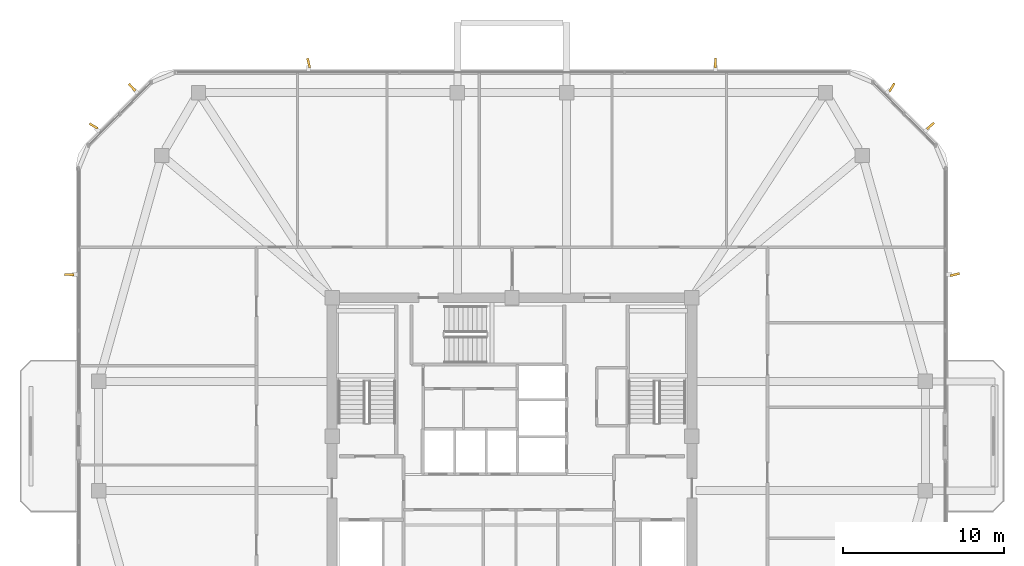
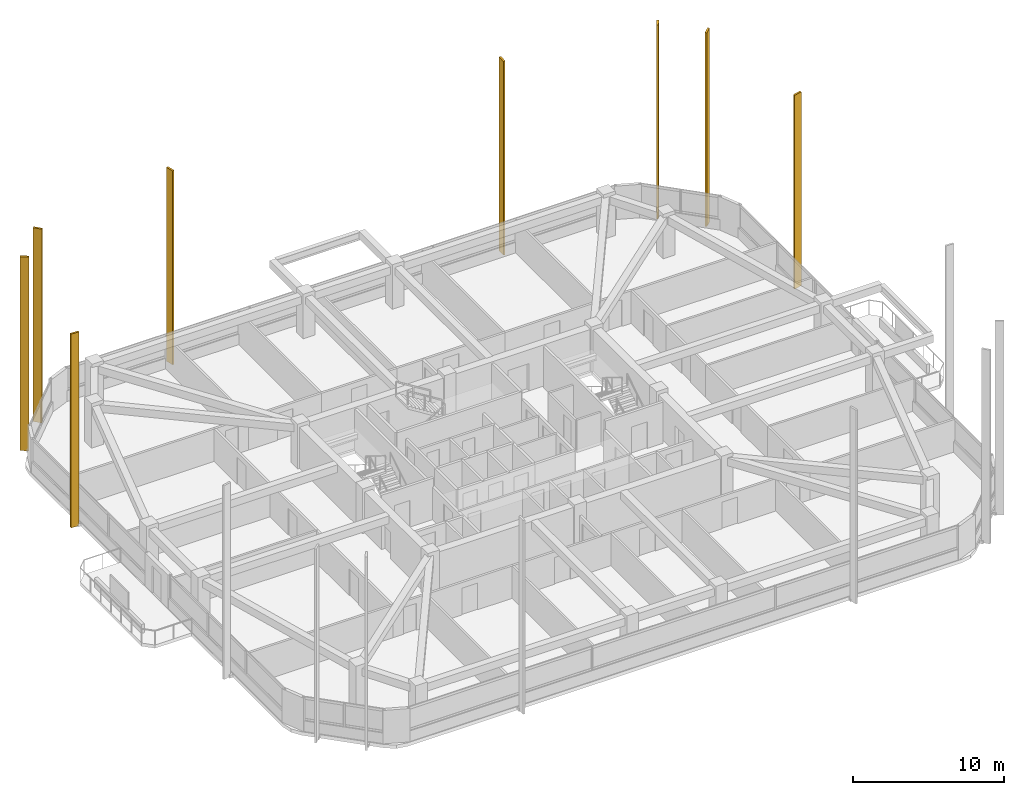
# One storey, part 17 of 17: 8 shading devices.
"""IFC4 building model written with IfcOpenShell, lengths in metres."""

from ifc_helpers import new_model, si_unit, derived_unit, direction, frame, origin, origin_2d, place, context, subcontext, project, spatial, rectangle, extrude, material, type_object, element, save


model = new_model("IFC4")

# Units and contexts
model_context = context("Model", 3, precision=1e-05, world=origin(), true_north=direction((0.0, 1.0)))
body_context = subcontext(model_context, "Body", "Model", "MODEL_VIEW")
ifc_project = project(units=[si_unit("LENGTHUNIT", "METRE"), si_unit("AREAUNIT", "SQUARE_METRE"), si_unit("VOLUMEUNIT", "CUBIC_METRE"), si_unit("PLANEANGLEUNIT", "RADIAN"), si_unit("MASSUNIT", "GRAM", prefix="KILO"), derived_unit("THERMALTRANSMITTANCEUNIT", [(si_unit("POWERUNIT", "WATT"), 1), (si_unit("LENGTHUNIT", "METRE"), -2), (si_unit("THERMODYNAMICTEMPERATUREUNIT", "KELVIN"), -1)])], contexts=[model_context])

# Site, building, storey
site_placement = place(None, origin())
site = spatial("IfcSite", under=ifc_project, at=site_placement, CompositionType="ELEMENT")
building_placement = place(site_placement, origin())
building = spatial("IfcBuilding", under=site, at=building_placement, Name="Koralith Skygarden Medical Center", CompositionType="ELEMENT")
storey_placement = place(building_placement, frame((0.0, 0.0, 221.580078125)))
storey = spatial("IfcBuildingStorey", under=building, at=storey_placement, Name="L57", CompositionType="ELEMENT", Elevation=221.580078125)

# Shading devices
ifc_material = material(Name="Aluminium 6063-T6", Category="aluminium")
shading_device_type = type_object("IfcShadingDeviceType", Name="Limestone-Clad Solar Storm Fin 600", PredefinedType="USERDEFINED", material=ifc_material)
for number, where, z_axis, x_axis, name in (
    (1, (64.56201171875, 35.949951171875, -0.199951171875), (0.0, 0.0, 1.0), (0.971449828236, 0.23724508682, 0.0), "L57 E Harmonic Solar Storm Fin 2"),
    (2, (63.0380859375, 45.197998046875, -0.199951171875), (0.0, 0.0, 1.0), (0.740288533515, 0.672289288287, 0.0), "L57 NE Harmonic Solar Storm Fin 1"),
    (3, (60.639892578125, 47.595947265625, -0.199951171875), (0.0, 0.0, 1.0), (0.519161151435, 0.854676370822, 0.0), "L57 NE Harmonic Solar Storm Fin 2"),
    (4, (49.655029296875, 49.1201171875, -0.199951171875), (0.0, 0.0, 1.0), (0.048082727417, 0.99884335675, 0.0), "L57 N Harmonic Solar Storm Fin 1"),
    (5, (24.344970703125, 49.1201171875, -0.199951171875), (0.0, 0.0, 1.0), (-0.23724508682, 0.971449828236, 0.0), "L57 N Harmonic Solar Storm Fin 2"),
    (6, (13.360107421875, 47.595947265625, -0.199951171875), (0.0, 0.0, 1.0), (-0.672289288287, 0.740288533515, 0.0), "L57 NW Harmonic Solar Storm Fin 1"),
    (7, (10.9619140625, 45.197998046875, -0.199951171875), (0.0, 0.0, 1.0), (-0.854676370822, 0.519161151435, 0.0), "L57 NW Harmonic Solar Storm Fin 2"),
    (8, (9.43798828125, 35.949951171875, -0.199951171875), (0.0, 0.0, 1.0), (-0.99884335675, 0.048082727417, 0.0), "L57 W Harmonic Solar Storm Fin 1"),
):
    element("IfcShadingDevice", number, at=place(storey_placement, frame(where, z_axis=z_axis, x_axis=x_axis)), inside=storey, type_object=shading_device_type, Name=name, ObjectType="SOLAR FIN", PredefinedType="USERDEFINED", context=body_context, shape_type="SweptSolid", body=[
        extrude(rectangle(XDim=0.60009765625, YDim=0.139892578125, at=origin_2d()), origin(), (0.0, 0.0, 1.0), 15.6298828125),
    ])

save(model, "model.ifc")
